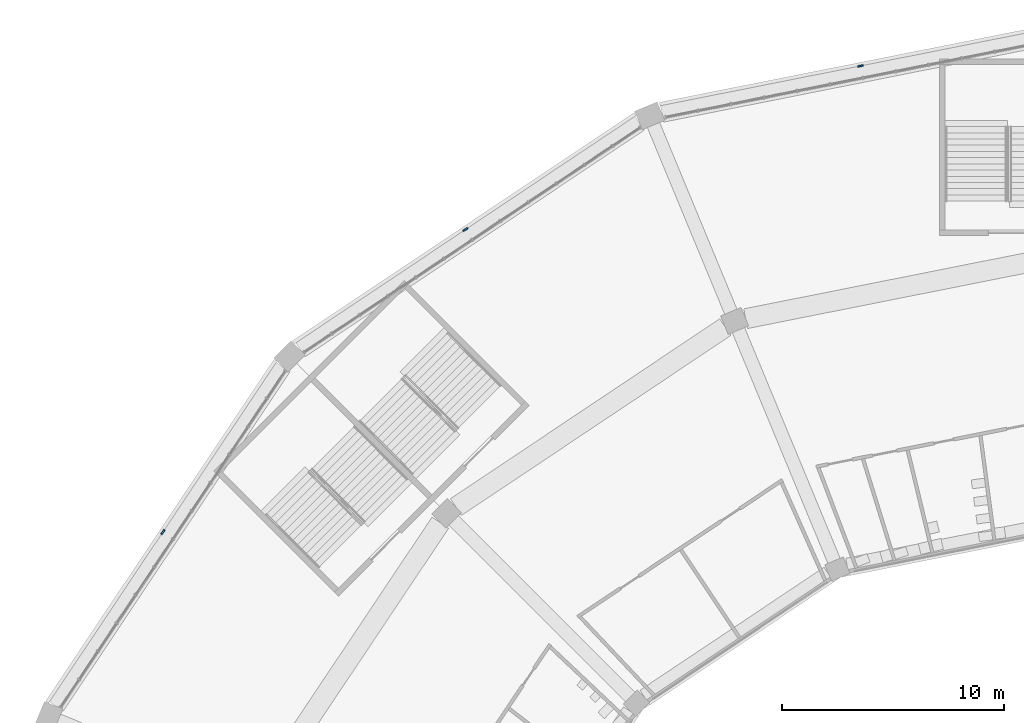
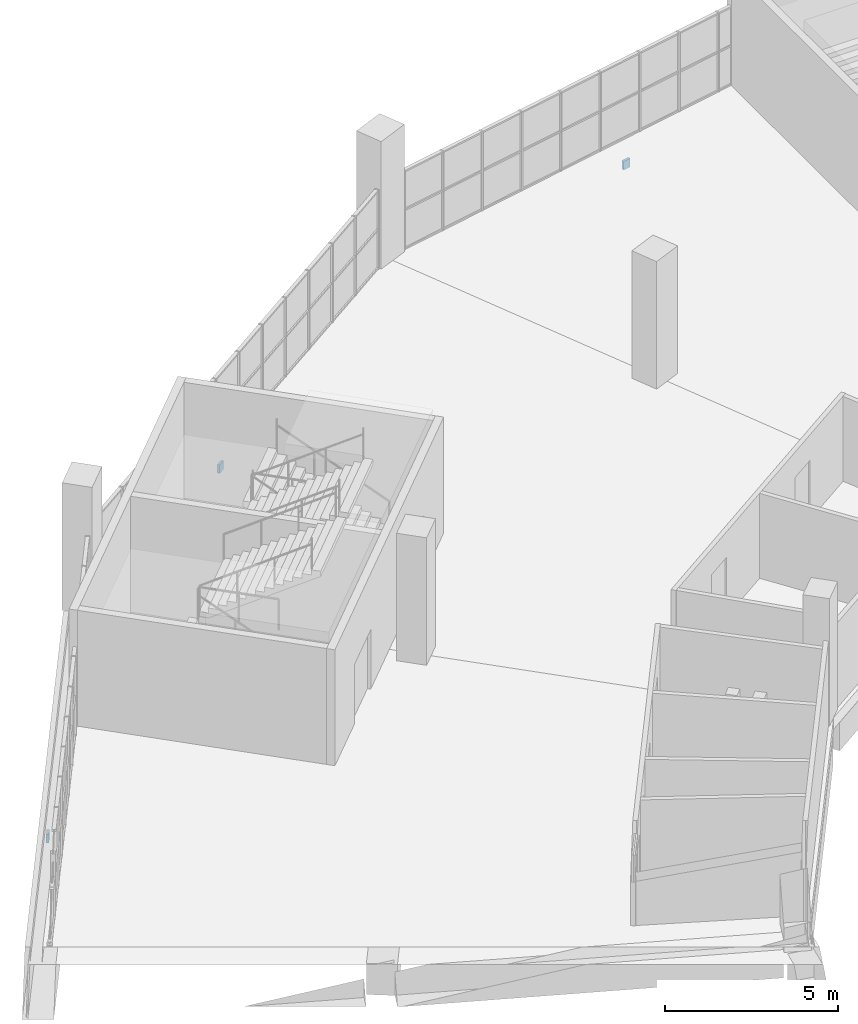
# One storey, part 97 of 199: 3 discrete accessories.
"""IFC4 building model written with IfcOpenShell, lengths in metres."""

from ifc_helpers import new_model, si_unit, direction, frame, origin, origin_2d, place, context, subcontext, project, spatial, rectangle, extrude, material, layer, layer_set, type_object, element, save


model = new_model("IFC4")

# Units and contexts
model_context = context("Model", 3, precision=1e-05, world=origin(), true_north=direction((0.0, 1.0)))
body_context = subcontext(model_context, "Body", "Model", "MODEL_VIEW")
ifc_project = project(units=[si_unit("LENGTHUNIT", "METRE"), si_unit("AREAUNIT", "SQUARE_METRE"), si_unit("VOLUMEUNIT", "CUBIC_METRE"), si_unit("PLANEANGLEUNIT", "RADIAN"), si_unit("MASSUNIT", "GRAM", prefix="KILO")], contexts=[model_context])

# Site, building, storey
site_placement = place(None, origin())
site = spatial("IfcSite", under=ifc_project, at=site_placement, CompositionType="ELEMENT")
building_placement = place(site_placement, origin())
building = spatial("IfcBuilding", under=site, at=building_placement, Name="Ogive Plaza Stadium", CompositionType="ELEMENT")
storey_placement = place(building_placement, frame((0.0, 0.0, 9.0)))
storey = spatial("IfcBuildingStorey", under=building, at=storey_placement, Name="L02", CompositionType="ELEMENT", Elevation=9.0)

# Discrete accessories
ifc_material = material(Name="Steel ASTM A572 Grade 50", Category="steel")
ifc_layer = layer(ifc_material, 0.080078125)
ifc_layer_set = layer_set([ifc_layer], Name="Steel ASTM A572 Grade 50")
discrete_accessory_type = type_object("IfcDiscreteAccessoryType", Name="Spandrel cladding bracket 250x300", PredefinedType="BRACKET", material=ifc_layer_set)
for number, where, z_axis, x_axis, name in (
    (1, (-75.065673828125, 79.939208984375, -1.60986328125), (0.0, 0.0, 1.0), (0.555570233005, 0.831469612312, 0.0), "SPANDREL BRACKET B29 L02"),
    (2, (-61.439208984375, 93.565673828125, -1.60986328125), (0.0, 0.0, 1.0), (0.831469612312, 0.555570233005, 0.0), "SPANDREL BRACKET B30 L02"),
    (3, (-43.635498046875, 100.940185546875, -1.60986328125), (0.0, 0.0, 1.0), (0.980785280403, 0.195090322016, 0.0), "SPANDREL BRACKET B31 L02"),
):
    element("IfcDiscreteAccessory", number, at=place(storey_placement, frame(where, z_axis=z_axis, x_axis=x_axis)), inside=storey, type_object=discrete_accessory_type, Name=name, PredefinedType="BRACKET", context=body_context, shape_type="SweptSolid", body=[
        extrude(rectangle(XDim=0.25, YDim=0.080078125, at=origin_2d()), origin(), (0.0, 0.0, 1.0), 0.300048828125),
    ])

save(model, "model.ifc")
